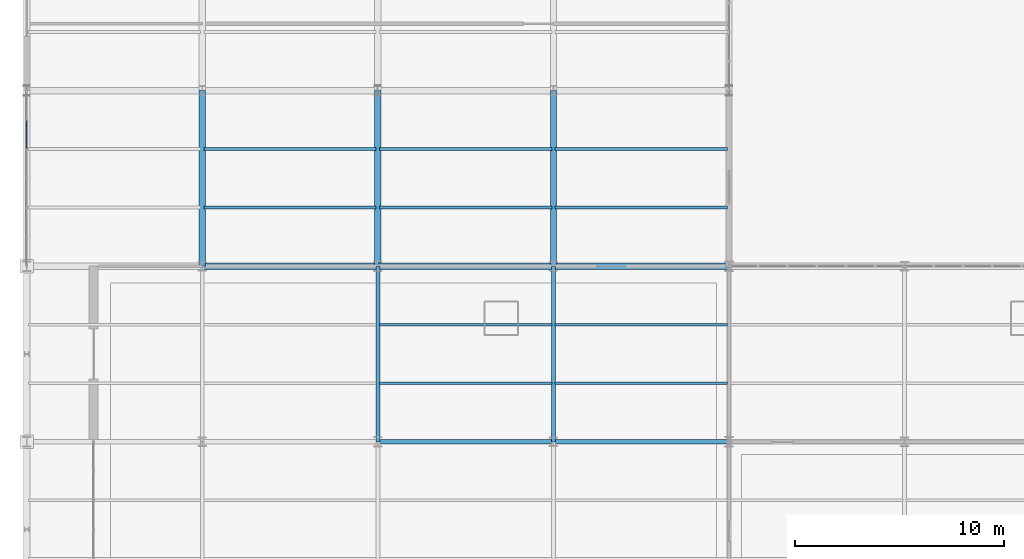
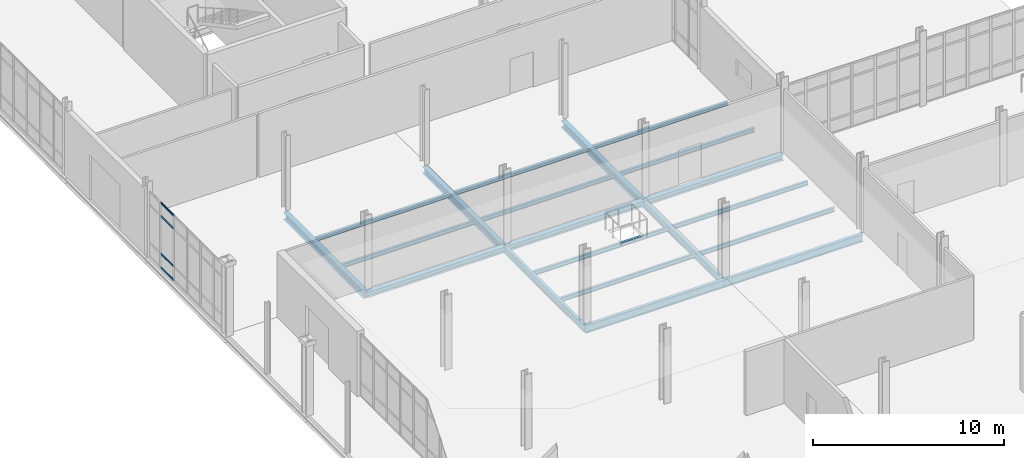
# One storey, part 34 of 145: 20 beams, 4 members, 1 element without a shape of its own.
"""IFC4 building model written with IfcOpenShell, lengths in metres."""

from ifc_helpers import new_model, si_unit, direction, frame, origin, origin_2d, place, context, subcontext, project, spatial, hollow_rectangle, i_section, extrude, material, layer, layer_set, material_profile, profile_set, type_object, element, aggregate, save


model = new_model("IFC4")

# Units and contexts
model_context = context("Model", 3, precision=1e-05, world=origin(), true_north=direction((0.0, 1.0)))
body_context = subcontext(model_context, "Body", "Model", "MODEL_VIEW")
ifc_project = project(units=[si_unit("LENGTHUNIT", "METRE"), si_unit("AREAUNIT", "SQUARE_METRE"), si_unit("VOLUMEUNIT", "CUBIC_METRE"), si_unit("PLANEANGLEUNIT", "RADIAN"), si_unit("MASSUNIT", "GRAM", prefix="KILO")], contexts=[model_context])

# Site, building, storey
site_placement = place(None, origin())
site = spatial("IfcSite", under=ifc_project, at=site_placement, CompositionType="ELEMENT")
building_placement = place(site_placement, origin())
building = spatial("IfcBuilding", under=site, at=building_placement, Name="Qalvenar Corner Mobility Hub", CompositionType="ELEMENT")
storey_placement = place(building_placement, origin())
storey = spatial("IfcBuildingStorey", under=building, at=storey_placement, Name="L00", CompositionType="ELEMENT", Elevation=0.0)

# Beams
ifc_material_1 = material(Name="Steel S355", Category="steel")
ifc_material_profile_1 = material_profile(ifc_material_1, i_section(OverallWidth=0.300048828125, OverallDepth=0.43994140625, WebThickness=0.011474609375, FlangeThickness=0.02099609375, FilletRadius=0.027099609375, at=origin_2d()), Name="HEA450")
ifc_profile_set_1 = profile_set([ifc_material_profile_1], Name="Steel S355")
beam_type_1 = type_object("IfcBeamType", Name="BM-HEA450", PredefinedType="BEAM", material=ifc_profile_set_1)
for number, where, z_axis, x_axis, name in (
    (1, (8.39990234375, 42.0, -0.43994140625), (0.0, 1.0, 0.0), (-1.0, 0.0, 0.0), "Primary Steel Girder GY-0453"),
    (2, (16.800048828125, 42.0, -0.43994140625), (0.0, 1.0, 0.0), (-1.0, 0.0, 0.0), "Primary Steel Girder GY-0459"),
    (3, (25.199951171875, 42.0, -0.43994140625), (0.0, 1.0, 0.0), (-1.0, 0.0, 0.0), "Primary Steel Girder GY-0465"),
):
    element("IfcBeam", number, at=place(storey_placement, frame(where, z_axis=z_axis, x_axis=x_axis)), inside=storey, type_object=beam_type_1, Name=name, PredefinedType="BEAM", context=body_context, shape_type="SweptSolid", body=[
        extrude(i_section(OverallWidth=0.300048828125, OverallDepth=0.43994140625, WebThickness=0.011474609375, FlangeThickness=0.02099609375, FilletRadius=0.027099609375, at=origin_2d()), origin(), (0.0, 0.0, 1.0), 8.39990234375),
    ])
ifc_material_profile_2 = material_profile(ifc_material_1, i_section(OverallWidth=0.18994140625, OverallDepth=0.449951171875, WebThickness=0.009521484375, FlangeThickness=0.0146484375, FilletRadius=0.02099609375, at=origin_2d()), Name="IPE450")
ifc_profile_set_2 = profile_set([ifc_material_profile_2], Name="Steel S355")
beam_type_2 = type_object("IfcBeamType", Name="BM-IPE450", PredefinedType="BEAM", material=ifc_profile_set_2)
for number, where, z_axis, x_axis, name in (
    (4, (16.800048828125, 33.60009765625, -0.445068359375), (0.0, 1.0, 0.0), (-1.0, 0.0, 0.0), "Primary Steel Girder GY-0051"),
    (5, (25.199951171875, 33.60009765625, -0.445068359375), (0.0, 1.0, 0.0), (-1.0, 0.0, 0.0), "Primary Steel Girder GY-0056"),
):
    element("IfcBeam", number, at=place(storey_placement, frame(where, z_axis=z_axis, x_axis=x_axis)), inside=storey, type_object=beam_type_2, Name=name, PredefinedType="BEAM", context=body_context, shape_type="SweptSolid", body=[
        extrude(i_section(OverallWidth=0.18994140625, OverallDepth=0.449951171875, WebThickness=0.009521484375, FlangeThickness=0.0146484375, FilletRadius=0.02099609375, at=origin_2d()), origin(), (0.0, 0.0, 1.0), 8.39990234375),
    ])
ifc_material_profile_3 = material_profile(ifc_material_1, i_section(OverallWidth=0.199951171875, OverallDepth=0.5, WebThickness=0.01025390625, FlangeThickness=0.01611328125, FilletRadius=0.02099609375, at=origin_2d()), Name="IPE500")
ifc_profile_set_3 = profile_set([ifc_material_profile_3], Name="Steel S355")
beam_type_3 = type_object("IfcBeamType", Name="BM-IPE500", PredefinedType="BEAM", material=ifc_profile_set_3)
beam_1_placement = place(storey_placement, frame((16.800048828125, 33.60009765625, -0.469970703125), z_axis=(1.0, 0.0, 0.0), x_axis=(0.0, 1.0, 0.0)))
element("IfcBeam", 6, at=beam_1_placement, inside=storey, type_object=beam_type_3, Name="Primary Steel Girder GX-0027", PredefinedType="BEAM", context=body_context, shape_type="SweptSolid", body=[
    extrude(i_section(OverallWidth=0.199951171875, OverallDepth=0.5, WebThickness=0.01025390625, FlangeThickness=0.01611328125, FilletRadius=0.02099609375, at=origin_2d()), origin(), (0.0, 0.0, 1.0), 8.39990234375),
])
beam_2_placement = place(storey_placement, frame((25.199951171875, 33.60009765625, -0.469970703125), z_axis=(1.0, 0.0, 0.0), x_axis=(0.0, 1.0, 0.0)))
element("IfcBeam", 7, at=beam_2_placement, inside=storey, type_object=beam_type_3, Name="Primary Steel Girder GX-0028", PredefinedType="BEAM", context=body_context, shape_type="SweptSolid", body=[
    extrude(i_section(OverallWidth=0.199951171875, OverallDepth=0.5, WebThickness=0.01025390625, FlangeThickness=0.01611328125, FilletRadius=0.02099609375, at=origin_2d()), origin(), (0.0, 0.0, 1.0), 8.400146484375),
])
ifc_material_profile_4 = material_profile(ifc_material_1, i_section(OverallWidth=0.14599609375, OverallDepth=0.258056640625, WebThickness=0.006103515625, FlangeThickness=0.009033203125, FilletRadius=0.011962890625, at=origin_2d()), Name="W250x32.7")
ifc_profile_set_4 = profile_set([ifc_material_profile_4], Name="Steel S355")
beam_type_4 = type_object("IfcBeamType", Name="BM-JST250", PredefinedType="JOIST", material=ifc_profile_set_4)
for number, where, z_axis, x_axis, name in (
    (8, (8.47802734375, 44.800048828125, -0.34912109375), (1.0, 0.0, 0.0), (0.0, 1.0, 0.0), "Composite Floor Joist J-0489"),
    (9, (8.47802734375, 47.60009765625, -0.34912109375), (1.0, 0.0, 0.0), (0.0, 1.0, 0.0), "Composite Floor Joist J-0490"),
):
    element("IfcBeam", number, at=place(storey_placement, frame(where, z_axis=z_axis, x_axis=x_axis)), inside=storey, type_object=beam_type_4, Name=name, PredefinedType="JOIST", context=body_context, shape_type="SweptSolid", body=[
        extrude(i_section(OverallWidth=0.14599609375, OverallDepth=0.258056640625, WebThickness=0.006103515625, FlangeThickness=0.009033203125, FilletRadius=0.011962890625, at=origin_2d()), origin(), (0.0, 0.0, 1.0), 8.243896484375),
    ])
for number, where, z_axis, x_axis, name in (
    (10, (16.8779296875, 44.800048828125, -0.34912109375), (1.0, 0.0, 0.0), (0.0, 1.0, 0.0), "Composite Floor Joist J-0499"),
    (11, (16.8779296875, 47.60009765625, -0.34912109375), (1.0, 0.0, 0.0), (0.0, 1.0, 0.0), "Composite Floor Joist J-0500"),
):
    element("IfcBeam", number, at=place(storey_placement, frame(where, z_axis=z_axis, x_axis=x_axis)), inside=storey, type_object=beam_type_4, Name=name, PredefinedType="JOIST", context=body_context, shape_type="SweptSolid", body=[
        extrude(i_section(OverallWidth=0.14599609375, OverallDepth=0.258056640625, WebThickness=0.006103515625, FlangeThickness=0.009033203125, FilletRadius=0.011962890625, at=origin_2d()), origin(), (0.0, 0.0, 1.0), 8.244140625),
    ])
for number, where, z_axis, x_axis, name in (
    (12, (25.278076171875, 44.800048828125, -0.34912109375), (1.0, 0.0, 0.0), (0.0, 1.0, 0.0), "Composite Floor Joist J-0511"),
    (13, (25.278076171875, 47.60009765625, -0.34912109375), (1.0, 0.0, 0.0), (0.0, 1.0, 0.0), "Composite Floor Joist J-0512"),
):
    element("IfcBeam", number, at=place(storey_placement, frame(where, z_axis=z_axis, x_axis=x_axis)), inside=storey, type_object=beam_type_4, Name=name, PredefinedType="JOIST", context=body_context, shape_type="SweptSolid", body=[
        extrude(i_section(OverallWidth=0.14599609375, OverallDepth=0.258056640625, WebThickness=0.006103515625, FlangeThickness=0.009033203125, FilletRadius=0.011962890625, at=origin_2d()), origin(), (0.0, 0.0, 1.0), 8.243896484375),
    ])
ifc_material_profile_5 = material_profile(ifc_material_1, i_section(OverallWidth=0.135009765625, OverallDepth=0.27001953125, WebThickness=0.006591796875, FlangeThickness=0.01025390625, FilletRadius=0.014892578125, at=origin_2d()), Name="IPE270")
ifc_profile_set_5 = profile_set([ifc_material_profile_5], Name="Steel S355")
beam_type_5 = type_object("IfcBeamType", Name="BM-JST270", PredefinedType="JOIST", material=ifc_profile_set_5)
for number, where, z_axis, x_axis, name in (
    (14, (16.8779296875, 36.39990234375, -0.35498046875), (1.0, 0.0, 0.0), (0.0, 1.0, 0.0), "Composite Floor Joist J-0099"),
    (15, (16.8779296875, 39.199951171875, -0.35498046875), (1.0, 0.0, 0.0), (0.0, 1.0, 0.0), "Composite Floor Joist J-0100"),
):
    element("IfcBeam", number, at=place(storey_placement, frame(where, z_axis=z_axis, x_axis=x_axis)), inside=storey, type_object=beam_type_5, Name=name, PredefinedType="JOIST", context=body_context, shape_type="SweptSolid", body=[
        extrude(i_section(OverallWidth=0.135009765625, OverallDepth=0.27001953125, WebThickness=0.006591796875, FlangeThickness=0.01025390625, FilletRadius=0.014892578125, at=origin_2d()), origin(), (0.0, 0.0, 1.0), 8.244140625),
    ])
for number, where, z_axis, x_axis, name in (
    (16, (25.278076171875, 36.39990234375, -0.35498046875), (1.0, 0.0, 0.0), (0.0, 1.0, 0.0), "Composite Floor Joist J-0109"),
    (17, (25.278076171875, 39.199951171875, -0.35498046875), (1.0, 0.0, 0.0), (0.0, 1.0, 0.0), "Composite Floor Joist J-0110"),
):
    element("IfcBeam", number, at=place(storey_placement, frame(where, z_axis=z_axis, x_axis=x_axis)), inside=storey, type_object=beam_type_5, Name=name, PredefinedType="JOIST", context=body_context, shape_type="SweptSolid", body=[
        extrude(i_section(OverallWidth=0.135009765625, OverallDepth=0.27001953125, WebThickness=0.006591796875, FlangeThickness=0.01025390625, FilletRadius=0.014892578125, at=origin_2d()), origin(), (0.0, 0.0, 1.0), 8.243896484375),
    ])
ifc_material_profile_6 = material_profile(ifc_material_1, i_section(OverallWidth=0.300048828125, OverallDepth=0.35009765625, WebThickness=0.010009765625, FlangeThickness=0.017578125, FilletRadius=0.027099609375, at=origin_2d()), Name="HEA360")
ifc_profile_set_6 = profile_set([ifc_material_profile_6], Name="Steel S355")
beam_type_6 = type_object("IfcBeamType", Name="BM-SPN360", PredefinedType="SPANDREL", material=ifc_profile_set_6)
beam_3_placement = place(storey_placement, frame((8.39990234375, 42.0, -0.39501953125), z_axis=(1.0, 0.0, 0.0), x_axis=(0.0, 1.0, 0.0)))
element("IfcBeam", 18, at=beam_3_placement, inside=storey, type_object=beam_type_6, Name="Primary Steel Girder GX-0032", PredefinedType="SPANDREL", context=body_context, shape_type="SweptSolid", body=[
    extrude(i_section(OverallWidth=0.300048828125, OverallDepth=0.35009765625, WebThickness=0.010009765625, FlangeThickness=0.017578125, FilletRadius=0.027099609375, at=origin_2d()), origin(), (0.0, 0.0, 1.0), 8.400146484375),
])
beam_4_placement = place(storey_placement, frame((16.800048828125, 42.0, -0.39501953125), z_axis=(1.0, 0.0, 0.0), x_axis=(0.0, 1.0, 0.0)))
element("IfcBeam", 19, at=beam_4_placement, inside=storey, type_object=beam_type_6, Name="Primary Steel Girder GX-0033", PredefinedType="SPANDREL", context=body_context, shape_type="SweptSolid", body=[
    extrude(i_section(OverallWidth=0.300048828125, OverallDepth=0.35009765625, WebThickness=0.010009765625, FlangeThickness=0.017578125, FilletRadius=0.027099609375, at=origin_2d()), origin(), (0.0, 0.0, 1.0), 8.39990234375),
])
beam_5_placement = place(storey_placement, frame((25.199951171875, 42.0, -0.39501953125), z_axis=(1.0, 0.0, 0.0), x_axis=(0.0, 1.0, 0.0)))
element("IfcBeam", 20, at=beam_5_placement, inside=storey, type_object=beam_type_6, Name="Primary Steel Girder GX-0034", PredefinedType="SPANDREL", context=body_context, shape_type="SweptSolid", body=[
    extrude(i_section(OverallWidth=0.300048828125, OverallDepth=0.35009765625, WebThickness=0.010009765625, FlangeThickness=0.017578125, FilletRadius=0.027099609375, at=origin_2d()), origin(), (0.0, 0.0, 1.0), 8.400146484375),
])

# Curtain wall, members
ifc_material_2 = material(Name="Anodised Aluminium and Low-E Glazing", Category="aluminium")
ifc_layer = layer(ifc_material_2, 0.14990234375)
ifc_layer_set = layer_set([ifc_layer], Name="Anodised Aluminium and Low-E Glazing")
curtain_wall_type = type_object("IfcCurtainWallType", Name="CW-CYC-84X45", PredefinedType="NOTDEFINED", material=ifc_layer_set)
curtain_wall_placement = place(storey_placement, origin())
curtain_wall = element("IfcCurtainWall", 21, at=curtain_wall_placement, inside=storey, type_object=curtain_wall_type, Name="Glazed Curtain Wall CW-V5-L00-W0", PredefinedType="NOTDEFINED")
ifc_material_3 = material(Name="Anodised Aluminium 6063-T6", Category="aluminium")
ifc_material_profile_7 = material_profile(ifc_material_3, hollow_rectangle(XDim=0.054931640625, YDim=0.1201171875, WallThickness=0.00341796875, InnerFilletRadius=0.00341796875, OuterFilletRadius=0.007080078125, at=origin_2d()), Name="RHS120x55x3.5")
ifc_profile_set_7 = profile_set([ifc_material_profile_7], Name="Anodised Aluminium 6063-T6")
member_type = type_object("IfcMemberType", Name="CW-TRN120", PredefinedType="USERDEFINED", material=ifc_profile_set_7)
member_1_placement = place(storey_placement, frame((0.0, 48.969970703125, 0.027587890625), z_axis=(0.0, -1.0, 0.0), x_axis=(1.0, 0.0, 0.0)))
member_1 = element("IfcMember", 22, at=member_1_placement, type_object=member_type, Name="CW-07 transom 2.1", ObjectType="TRANSOM", PredefinedType="USERDEFINED", context=body_context, shape_type="SweptSolid", body=[
    extrude(hollow_rectangle(XDim=0.054931640625, YDim=0.1201171875, WallThickness=0.00341796875, InnerFilletRadius=0.00341796875, OuterFilletRadius=0.007080078125, at=origin_2d()), origin(), (0.0, 0.0, 1.0), 1.340087890625),
])
member_2_placement = place(storey_placement, frame((0.0, 48.969970703125, 0.89990234375), z_axis=(0.0, -1.0, 0.0), x_axis=(1.0, 0.0, 0.0)))
member_2 = element("IfcMember", 23, at=member_2_placement, type_object=member_type, Name="CW-07 transom 2.2", ObjectType="TRANSOM", PredefinedType="USERDEFINED", context=body_context, shape_type="SweptSolid", body=[
    extrude(hollow_rectangle(XDim=0.054931640625, YDim=0.1201171875, WallThickness=0.00341796875, InnerFilletRadius=0.00341796875, OuterFilletRadius=0.007080078125, at=origin_2d()), origin(), (0.0, 0.0, 1.0), 1.340087890625),
])
member_3_placement = place(storey_placement, frame((0.0, 48.969970703125, 3.320068359375), z_axis=(0.0, -1.0, 0.0), x_axis=(1.0, 0.0, 0.0)))
member_3 = element("IfcMember", 24, at=member_3_placement, type_object=member_type, Name="CW-07 transom 2.3", ObjectType="TRANSOM", PredefinedType="USERDEFINED", context=body_context, shape_type="SweptSolid", body=[
    extrude(hollow_rectangle(XDim=0.054931640625, YDim=0.1201171875, WallThickness=0.00341796875, InnerFilletRadius=0.00341796875, OuterFilletRadius=0.007080078125, at=origin_2d()), origin(), (0.0, 0.0, 1.0), 1.340087890625),
])
member_4_placement = place(storey_placement, frame((0.0, 48.969970703125, 4.142578125), z_axis=(0.0, -1.0, 0.0), x_axis=(1.0, 0.0, 0.0)))
member_4 = element("IfcMember", 25, at=member_4_placement, type_object=member_type, Name="CW-07 transom 2.4", ObjectType="TRANSOM", PredefinedType="USERDEFINED", context=body_context, shape_type="SweptSolid", body=[
    extrude(hollow_rectangle(XDim=0.054931640625, YDim=0.1201171875, WallThickness=0.00341796875, InnerFilletRadius=0.00341796875, OuterFilletRadius=0.007080078125, at=origin_2d()), origin(), (0.0, 0.0, 1.0), 1.340087890625),
])
aggregate(curtain_wall, [member_1, member_2, member_3, member_4])

save(model, "model.ifc")
